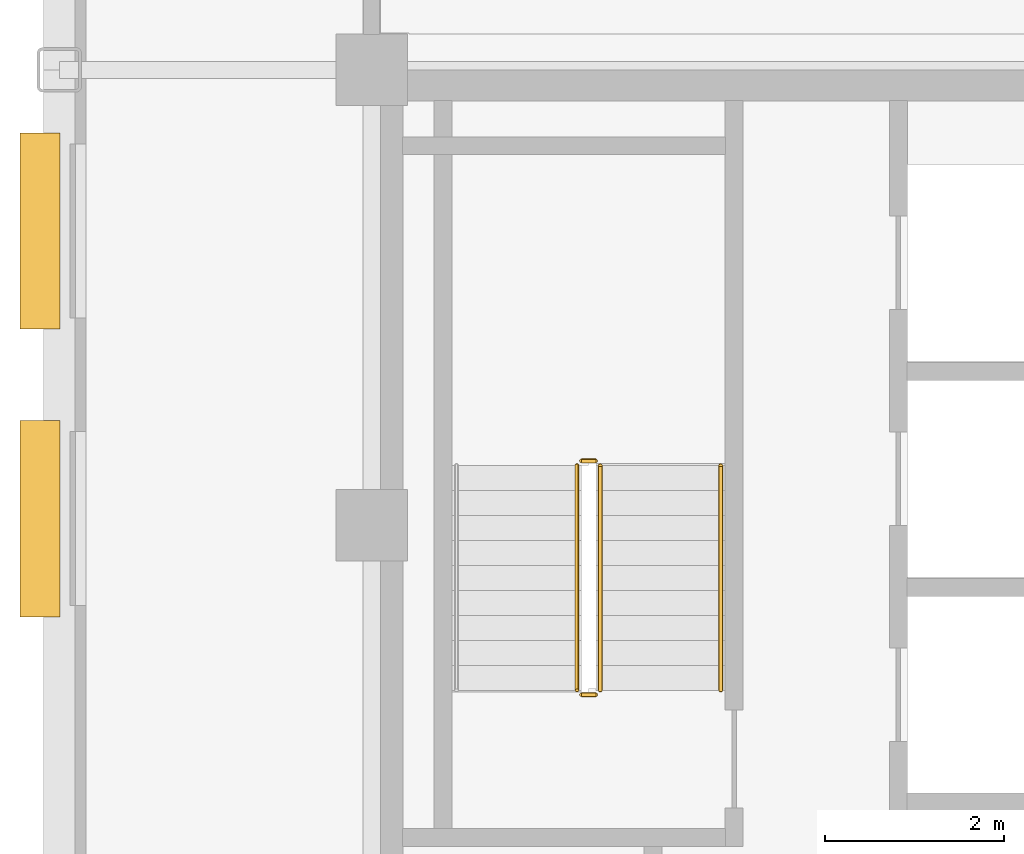
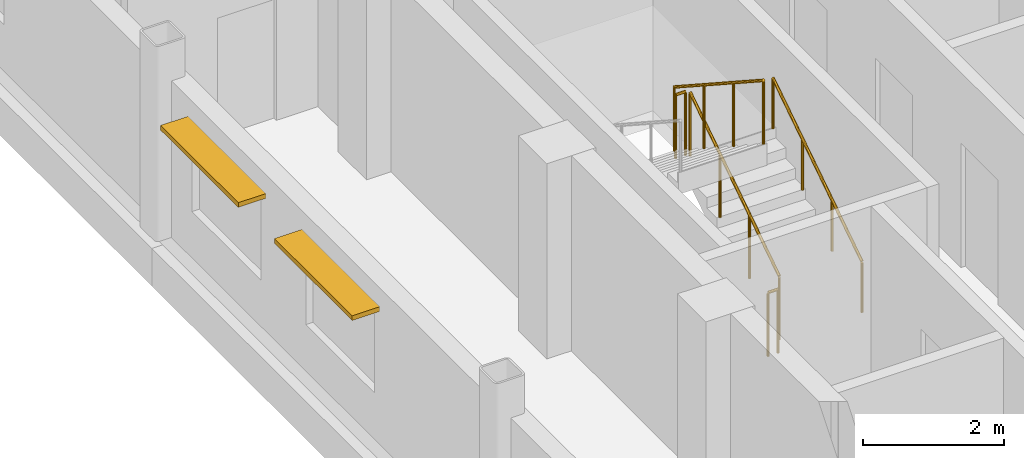
# One storey, part 11 of 14: 5 railings, 2 shading devices.
"""IFC4 building model written with IfcOpenShell, lengths in metres."""

from ifc_helpers import new_model, si_unit, direction, frame, origin, origin_2d, place, context, subcontext, project, spatial, rectangle, circle, extrude, source, transform, mapped, material, type_object, type_shapes, element, save


model = new_model("IFC4")

# Units and contexts
model_context = context("Model", 3, precision=1e-05, world=origin(), true_north=direction((0.0, 1.0)))
body_context = subcontext(model_context, "Body", "Model", "MODEL_VIEW")
ifc_project = project(units=[si_unit("LENGTHUNIT", "METRE"), si_unit("AREAUNIT", "SQUARE_METRE"), si_unit("VOLUMEUNIT", "CUBIC_METRE"), si_unit("PLANEANGLEUNIT", "RADIAN"), si_unit("MASSUNIT", "GRAM", prefix="KILO")], contexts=[model_context])

# Site, building, storey
site_placement = place(None, origin())
site = spatial("IfcSite", under=ifc_project, at=site_placement, CompositionType="ELEMENT")
building_placement = place(site_placement, origin())
building = spatial("IfcBuilding", under=site, at=building_placement, Name="Nuvemarco Arch Tower", CompositionType="ELEMENT")
storey_placement = place(building_placement, frame((0.0, 0.0, 268.89990234375)))
storey = spatial("IfcBuildingStorey", under=building, at=storey_placement, Name="L71", CompositionType="ELEMENT", Elevation=268.89990234375)

# Railings
ifc_material_1 = material(Name="Brushed stainless steel handrail", Category="steel")
railing_type_1 = type_object("IfcRailingType", Name="RL-HANDRAIL-900", PredefinedType="HANDRAIL", material=ifc_material_1)
railing_1_placement = place(storey_placement, frame((-13.590087890625, 2.64990234375, 0.1826171875)))
element("IfcRailing", 1, at=railing_1_placement, inside=storey, type_object=railing_type_1, Name="L71 ST-1 stair handrail 1", PredefinedType="HANDRAIL", context=body_context, shape_type="SweptSolid", body=[
    extrude(circle(Radius=0.02392578125, at=origin_2d()), frame((0.0, 0.0, 0.8759765625), z_axis=(0.0, 0.837749427056, 0.546054848405), x_axis=(-1.0, 0.0, 0.0)), (0.0, 0.0, 1.0), 3.008056640625),
    extrude(circle(Radius=0.02099609375, at=origin_2d()), origin(), (0.0, 0.0, 1.0), 0.851806640625),
    extrude(circle(Radius=0.02099609375, at=origin_2d()), frame((0.0, 0.840087890625, 0.547607421875)), (0.0, 0.0, 1.0), 0.851806640625),
    extrude(circle(Radius=0.02099609375, at=origin_2d()), frame((0.0, 1.679931640625, 1.094970703125)), (0.0, 0.0, 1.0), 0.851806640625),
    extrude(circle(Radius=0.02099609375, at=origin_2d()), frame((0.0, 2.52001953125, 1.642578125)), (0.0, 0.0, 1.0), 0.851806640625),
])
ifc_material_2 = material(Name="Painted balustrade steel S355", Category="steel")
railing_type_2 = type_object("IfcRailingType", Name="RL-STAIR-GUARD", PredefinedType="GUARDRAIL", material=ifc_material_2)
railing_2_placement = place(storey_placement, frame((-14.93994140625, 2.64990234375, 0.1826171875)))
element("IfcRailing", 2, at=railing_2_placement, inside=storey, type_object=railing_type_2, Name="L71 ST-1 stair guard 1", PredefinedType="GUARDRAIL", context=body_context, shape_type="SweptSolid", body=[
    extrude(circle(Radius=0.02392578125, at=origin_2d()), frame((0.0, 0.0, 1.09619140625), z_axis=(0.0, 0.837749427056, 0.546054848405), x_axis=(-1.0, 0.0, 0.0)), (0.0, 0.0, 1.0), 3.008056640625),
    extrude(circle(Radius=0.02099609375, at=origin_2d()), origin(), (0.0, 0.0, 1.0), 1.072021484375),
    extrude(circle(Radius=0.02099609375, at=origin_2d()), frame((0.0, 0.840087890625, 0.547607421875)), (0.0, 0.0, 1.0), 1.072021484375),
    extrude(circle(Radius=0.02099609375, at=origin_2d()), frame((0.0, 1.679931640625, 1.094970703125)), (0.0, 0.0, 1.0), 1.072021484375),
    extrude(circle(Radius=0.02099609375, at=origin_2d()), frame((0.0, 2.52001953125, 1.642578125)), (0.0, 0.0, 1.0), 1.072021484375),
])
railing_3_placement = place(storey_placement, frame((-14.989990234375, 5.219970703125, 1.8251953125)))
element("IfcRailing", 3, at=railing_3_placement, inside=storey, type_object=railing_type_2, Name="L71 ST-1 stair guard 2", PredefinedType="GUARDRAIL", context=body_context, shape_type="SweptSolid", body=[
    extrude(circle(Radius=0.02392578125, at=origin_2d()), frame((0.0, 0.0, 1.09619140625), z_axis=(-1.0, 0.0, 0.0), x_axis=(0.0, -1.0, 0.0)), (0.0, 0.0, 1.0), 0.159912109375),
    extrude(circle(Radius=0.02099609375, at=origin_2d()), origin(), (0.0, 0.0, 1.0), 1.072021484375),
    extrude(circle(Radius=0.02099609375, at=origin_2d()), frame((-0.159912109375, 0.0, 0.0)), (0.0, 0.0, 1.0), 1.072021484375),
])
railing_4_placement = place(storey_placement, frame((-15.199951171875, 5.169921875, 2.007568359375)))
element("IfcRailing", 4, at=railing_4_placement, inside=storey, type_object=railing_type_2, Name="L71 ST-1 stair guard 3", PredefinedType="GUARDRAIL", context=body_context, shape_type="SweptSolid", body=[
    extrude(circle(Radius=0.02392578125, at=origin_2d()), frame((0.0, 0.0, 1.09619140625), z_axis=(0.0, -0.837749427056, 0.546054848405), x_axis=(1.0, 0.0, 0.0)), (0.0, 0.0, 1.0), 3.008056640625),
    extrude(circle(Radius=0.02099609375, at=origin_2d()), origin(), (0.0, 0.0, 1.0), 1.072021484375),
    extrude(circle(Radius=0.02099609375, at=origin_2d()), frame((0.0, -0.840087890625, 0.547607421875)), (0.0, 0.0, 1.0), 1.072021484375),
    extrude(circle(Radius=0.02099609375, at=origin_2d()), frame((0.0, -1.679931640625, 1.094970703125)), (0.0, 0.0, 1.0), 1.072021484375),
    extrude(circle(Radius=0.02099609375, at=origin_2d()), frame((0.0, -2.52001953125, 1.642578125)), (0.0, 0.0, 1.0), 1.072021484375),
])
railing_5_placement = place(storey_placement, frame((-14.989990234375, 2.60009765625, 0.0)))
element("IfcRailing", 5, at=railing_5_placement, inside=storey, type_object=railing_type_2, Name="L71 ST-1 stair guard 4", PredefinedType="GUARDRAIL", context=body_context, shape_type="SweptSolid", body=[
    extrude(circle(Radius=0.02392578125, at=origin_2d()), frame((0.0, 0.0, 1.09619140625), z_axis=(-1.0, 0.0, 0.0), x_axis=(0.0, -1.0, 0.0)), (0.0, 0.0, 1.0), 0.159912109375),
    extrude(circle(Radius=0.02099609375, at=origin_2d()), origin(), (0.0, 0.0, 1.0), 1.072021484375),
    extrude(circle(Radius=0.02099609375, at=origin_2d()), frame((-0.159912109375, 0.0, 0.0)), (0.0, 0.0, 1.0), 1.072021484375),
])

# Shading devices
ifc_material_3 = material(Name="Anodised aluminium 6063-T6", Category="aluminium")
shading_device_type = type_object("IfcShadingDeviceType", Name="SHD-BRISE-SOLEIL", PredefinedType="USERDEFINED", material=ifc_material_3)
shared_shape = source(origin(), body_context, "Body", "SweptSolid", [
    extrude(rectangle(XDim=2.199951171875, YDim=0.449951171875, at=origin_2d()), origin(), (0.0, 0.0, 1.0), 0.080078125),
])
type_shapes(shading_device_type, [shared_shape])
for number, where, z_axis, x_axis, name in (
    (6, (-21.215087890625, 4.572509765625, 2.28515625), (0.0, 0.0, 1.0), (0.0, 1.0, 0.0), "L71 horizontal brise-soleil sunshade"),
    (7, (-21.215087890625, 7.795166015625, 2.28515625), (0.0, 0.0, 1.0), (0.0, 1.0, 0.0), "L71 horizontal brise-soleil sunshade"),
):
    element("IfcShadingDevice", number, at=place(storey_placement, frame(where, z_axis=z_axis, x_axis=x_axis)), inside=storey, type_object=shading_device_type, Name=name, ObjectType="SUNSHADE", PredefinedType="USERDEFINED", context=body_context, shape_type="MappedRepresentation", body=[
        mapped(shared_shape, transform((0.0, 0.0, 0.0), scale=1.0)),
    ])

save(model, "model.ifc")
